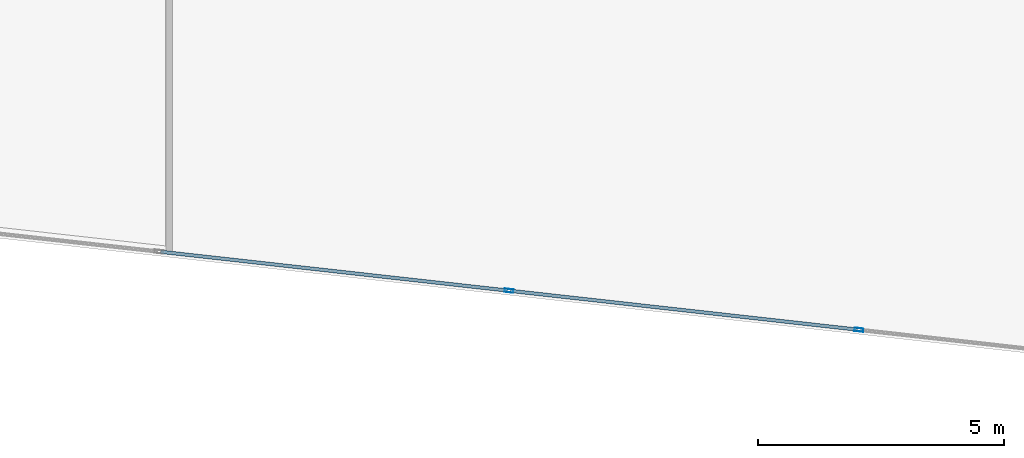
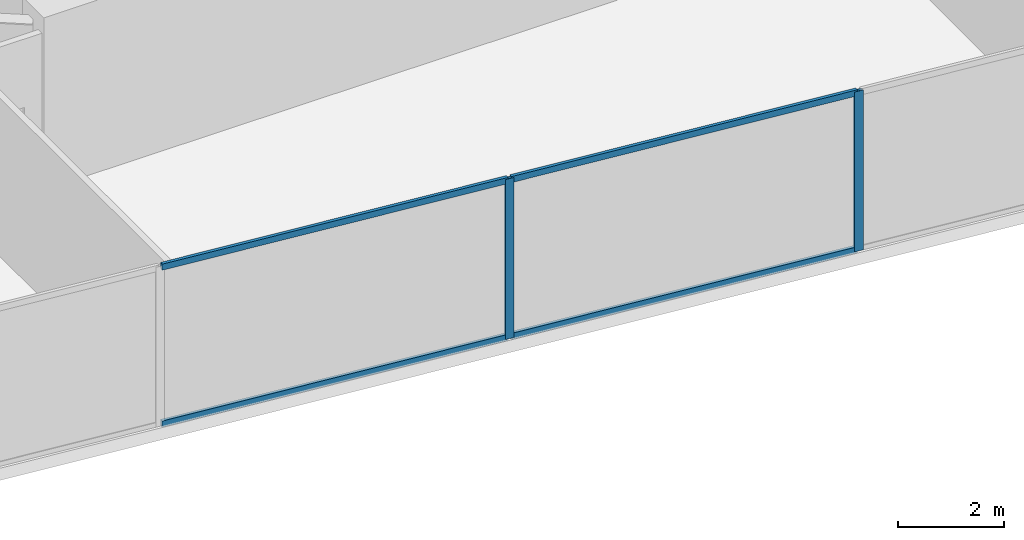
# One storey, part 5 of 31: 6 members, 1 element without a shape of its own.
"""IFC4 building model written with IfcOpenShell, lengths in metres."""

from ifc_helpers import new_model, si_unit, direction, frame, origin, origin_2d, place, context, subcontext, project, spatial, hollow_rectangle, extrude, source, transform, mapped, material, material_profile, profile_set, type_object, type_shapes, element, aggregate, save


model = new_model("IFC4")

# Units and contexts
model_context = context("Model", 3, precision=1e-05, world=origin(), true_north=direction((0.0, 1.0)))
body_context = subcontext(model_context, "Body", "Model", "MODEL_VIEW")
ifc_project = project(units=[si_unit("LENGTHUNIT", "METRE"), si_unit("AREAUNIT", "SQUARE_METRE"), si_unit("VOLUMEUNIT", "CUBIC_METRE"), si_unit("PLANEANGLEUNIT", "RADIAN"), si_unit("MASSUNIT", "GRAM", prefix="KILO")], contexts=[model_context])

# Site, building, storey
site_placement = place(None, origin())
site = spatial("IfcSite", under=ifc_project, at=site_placement, CompositionType="ELEMENT")
building_placement = place(site_placement, origin())
building = spatial("IfcBuilding", under=site, at=building_placement, Name="Krantzveldt Concourse Tower", CompositionType="ELEMENT")
storey_placement = place(building_placement, frame((0.0, 0.0, 56.60009765625)))
storey = spatial("IfcBuildingStorey", under=building, at=storey_placement, Name="L13", CompositionType="ELEMENT", Elevation=56.60009765625)

# Curtain wall, members
ifc_material = material(Name="Anodised aluminium 6063-T6", Category="aluminium")
curtain_wall_type = type_object("IfcCurtainWallType", Name="CW2", PredefinedType="USERDEFINED", material=ifc_material)
curtain_wall_placement = place(storey_placement, origin())
curtain_wall = element("IfcCurtainWall", 1, at=curtain_wall_placement, inside=storey, type_object=curtain_wall_type, Name="CW-L13-F04", ObjectType="UNITISED CURTAIN WALL", PredefinedType="USERDEFINED")
ifc_material_profile_1 = material_profile(ifc_material, hollow_rectangle(XDim=0.070068359375, YDim=0.179931640625, WallThickness=0.0048828125, at=origin_2d()), Name="Anodised aluminium 6063-T6", Category="aluminium")
ifc_profile_set_1 = profile_set([ifc_material_profile_1], Name="Anodised aluminium 6063-T6 - ALU-MULL 180x70x5")
member_type_1 = type_object("IfcMemberType", Name="CW-MUL-180", PredefinedType="MULLION", material=ifc_profile_set_1)
shared_shape_1 = source(origin(), body_context, "Body", "SweptSolid", [
    extrude(hollow_rectangle(XDim=0.070068359375, YDim=0.179931640625, WallThickness=0.0048828125, at=origin_2d()), origin(), (0.0, 0.0, 1.0), 3.669921875),
])
type_shapes(member_type_1, [shared_shape_1])
member_1_placement = place(storey_placement, frame((33.234130859375, 1.944091796875, 0.0), z_axis=(0.0, 0.0, 1.0), x_axis=(0.111035342863, 0.993816458223, 0.0)))
member_1 = element("IfcMember", 2, at=member_1_placement, type_object=member_type_1, Name="CW-Z12 mullion 4", PredefinedType="MULLION", context=body_context, shape_type="MappedRepresentation", body=[
    mapped(shared_shape_1, transform((0.0, 0.0, 0.0), x_axis=(1.0, 0.0, 0.0), y_axis=(0.0, 1.0, 0.0), z_axis=(0.0, 0.0, 1.0), scale=1.0)),
])
member_2_placement = place(storey_placement, frame((40.3564453125, 1.148193359375, 0.0), z_axis=(0.0, 0.0, 1.0), x_axis=(0.111035342863, 0.993816458223, 0.0)))
member_2 = element("IfcMember", 3, at=member_2_placement, type_object=member_type_1, Name="CW-Z12 mullion 5", PredefinedType="MULLION", context=body_context, shape_type="MappedRepresentation", body=[
    mapped(shared_shape_1, transform((0.0, 0.0, 0.0), x_axis=(1.0, 0.0, 0.0), y_axis=(0.0, 1.0, 0.0), z_axis=(0.0, 0.0, 1.0), scale=1.0)),
])
ifc_material_profile_2 = material_profile(ifc_material, hollow_rectangle(XDim=0.070068359375, YDim=0.139892578125, WallThickness=0.0048828125, at=origin_2d()), Name="Anodised aluminium 6063-T6", Category="aluminium")
ifc_profile_set_2 = profile_set([ifc_material_profile_2], Name="Anodised aluminium 6063-T6 - ALU-TRAN 140x70x5")
member_type_2 = type_object("IfcMemberType", Name="CW-TRN-150", PredefinedType="USERDEFINED", material=ifc_profile_set_2)
shared_shape_2 = source(origin(), body_context, "Body", "SweptSolid", [
    extrude(hollow_rectangle(XDim=0.070068359375, YDim=0.139892578125, WallThickness=0.0048828125, at=origin_2d()), origin(), (0.0, 0.0, 1.0), 7.0966796875),
])
member_3_placement = place(storey_placement, frame((26.146484375, 2.73583984375, 0.034912109375), z_axis=(0.993818533296, -0.111016768449, 0.0), x_axis=(0.111016768449, 0.993818533296, 0.0)))
member_3 = element("IfcMember", 4, at=member_3_placement, type_object=member_type_2, Name="CW-Z12 transom 3.1", ObjectType="TRANSOM", PredefinedType="USERDEFINED", context=body_context, shape_type="MappedRepresentation", body=[
    mapped(shared_shape_2, transform((0.0, 0.0, 0.0), x_axis=(1.0, 0.0, 0.0), y_axis=(0.0, 1.0, 0.0), z_axis=(0.0, 0.0, 1.0), scale=1.0)),
])
member_4_placement = place(storey_placement, frame((26.146484375, 2.73583984375, 3.635009765625), z_axis=(0.993818533296, -0.111016768449, 0.0), x_axis=(0.111016768449, 0.993818533296, 0.0)))
member_4 = element("IfcMember", 5, at=member_4_placement, type_object=member_type_2, Name="CW-Z12 transom 3.2", ObjectType="TRANSOM", PredefinedType="USERDEFINED", context=body_context, shape_type="MappedRepresentation", body=[
    mapped(shared_shape_2, transform((0.0, 0.0, 0.0), x_axis=(1.0, 0.0, 0.0), y_axis=(0.0, 1.0, 0.0), z_axis=(0.0, 0.0, 1.0), scale=1.0)),
])
shared_shape_3 = source(origin(), body_context, "Body", "SweptSolid", [
    extrude(hollow_rectangle(XDim=0.070068359375, YDim=0.139892578125, WallThickness=0.0048828125, at=origin_2d()), origin(), (0.0, 0.0, 1.0), 7.096923828125),
])
type_shapes(member_type_2, [shared_shape_2, shared_shape_3])
member_5_placement = place(storey_placement, frame((33.268798828125, 1.940185546875, 0.034912109375), z_axis=(0.993815161325, -0.111046950076, 0.0), x_axis=(0.111046950076, 0.993815161325, 0.0)))
member_5 = element("IfcMember", 6, at=member_5_placement, type_object=member_type_2, Name="CW-Z12 transom 4.1", ObjectType="TRANSOM", PredefinedType="USERDEFINED", context=body_context, shape_type="MappedRepresentation", body=[
    mapped(shared_shape_3, transform((0.0, 0.0, 0.0), x_axis=(1.0, 0.0, 0.0), y_axis=(0.0, 1.0, 0.0), z_axis=(0.0, 0.0, 1.0), scale=1.0)),
])
member_6_placement = place(storey_placement, frame((33.268798828125, 1.940185546875, 3.635009765625), z_axis=(0.993815161325, -0.111046950076, 0.0), x_axis=(0.111046950076, 0.993815161325, 0.0)))
member_6 = element("IfcMember", 7, at=member_6_placement, type_object=member_type_2, Name="CW-Z12 transom 4.2", ObjectType="TRANSOM", PredefinedType="USERDEFINED", context=body_context, shape_type="MappedRepresentation", body=[
    mapped(shared_shape_3, transform((0.0, 0.0, 0.0), x_axis=(1.0, 0.0, 0.0), y_axis=(0.0, 1.0, 0.0), z_axis=(0.0, 0.0, 1.0), scale=1.0)),
])
aggregate(curtain_wall, [member_1, member_2, member_3, member_4, member_5, member_6])

save(model, "model.ifc")
